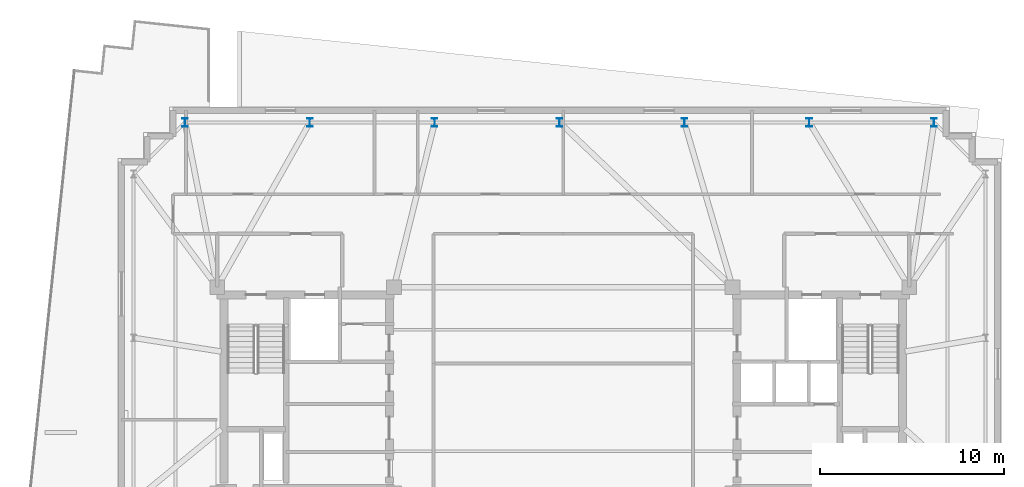
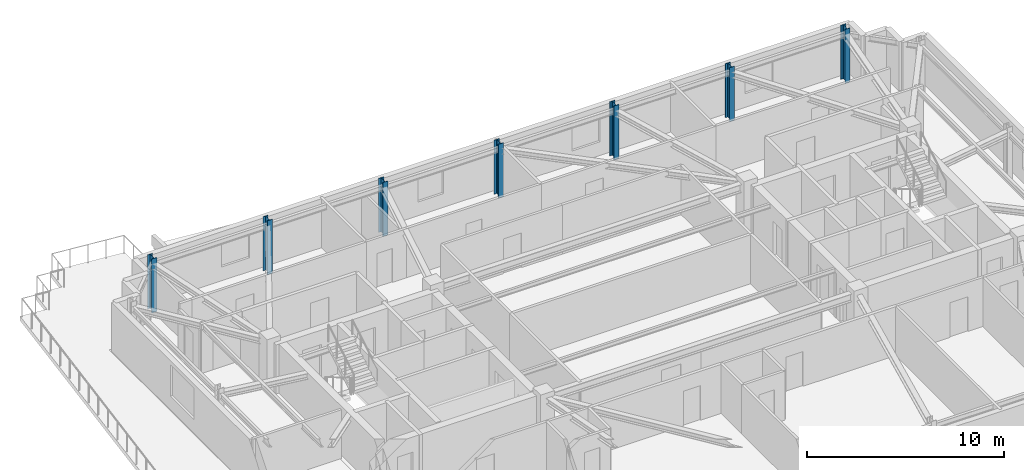
# One storey, part 3 of 12: 7 columns.
"""IFC4 building model written with IfcOpenShell, lengths in metres."""

from ifc_helpers import new_model, si_unit, direction, frame, origin, origin_2d, place, context, subcontext, project, spatial, i_section, extrude, material, material_profile, profile_set, type_object, element, save


model = new_model("IFC4")

# Units and contexts
model_context = context("Model", 3, precision=1e-05, world=origin(), true_north=direction((0.0, 1.0)))
body_context = subcontext(model_context, "Body", "Model", "MODEL_VIEW")
ifc_project = project(units=[si_unit("LENGTHUNIT", "METRE"), si_unit("AREAUNIT", "SQUARE_METRE"), si_unit("VOLUMEUNIT", "CUBIC_METRE"), si_unit("PLANEANGLEUNIT", "RADIAN"), si_unit("MASSUNIT", "GRAM", prefix="KILO")], contexts=[model_context])

# Site, building, storey
site_placement = place(None, origin())
site = spatial("IfcSite", under=ifc_project, at=site_placement, CompositionType="ELEMENT")
building_placement = place(site_placement, origin())
building = spatial("IfcBuilding", under=site, at=building_placement, Name="Qobustan Lattice House", CompositionType="ELEMENT")
storey_placement = place(building_placement, frame((0.0, 0.0, 228.300048828125)))
storey = spatial("IfcBuildingStorey", under=building, at=storey_placement, Name="L64", CompositionType="ELEMENT", Elevation=228.300048828125)

# Columns
ifc_material = material(Name="Steel S355", Category="steel")
ifc_material_profile = material_profile(ifc_material, i_section(OverallWidth=0.300048828125, OverallDepth=0.449951171875, WebThickness=0.013916015625, FlangeThickness=0.02587890625, FilletRadius=0.027099609375, at=origin_2d()), Name="HEB450")
ifc_profile_set = profile_set([ifc_material_profile], Name="Steel S355")
column_type = type_object("IfcColumnType", Name="COL-ST-HEB450", PredefinedType="COLUMN", material=ifc_profile_set)
for number, where, z_axis, x_axis, name in (
    (1, (20.14990234375, 14.550048828125, 0.0), (0.0, 0.0, 1.0), (1.0, 0.0, 0.0), "L64 B5 perimeter column N1"),
    (2, (13.36669921875, 14.550048828125, 0.0), (0.0, 0.0, 1.0), (1.0, 0.0, 0.0), "L64 B5 perimeter column N2"),
    (3, (6.583251953125, 14.550048828125, 0.0), (0.0, 0.0, 1.0), (1.0, 0.0, 0.0), "L64 B5 perimeter column N3"),
    (4, (-0.199951171875, 14.550048828125, 0.0), (0.0, 0.0, 1.0), (1.0, 0.0, 0.0), "L64 B5 perimeter column N4"),
    (5, (-6.9833984375, 14.550048828125, 0.0), (0.0, 0.0, 1.0), (1.0, 0.0, 0.0), "L64 B5 perimeter column N5"),
    (6, (-13.7666015625, 14.550048828125, 0.0), (0.0, 0.0, 1.0), (1.0, 0.0, 0.0), "L64 B5 perimeter column N6"),
    (7, (-20.550048828125, 14.550048828125, 0.0), (0.0, 0.0, 1.0), (1.0, 0.0, 0.0), "L64 B5 perimeter column N7"),
):
    element("IfcColumn", number, at=place(storey_placement, frame(where, z_axis=z_axis, x_axis=x_axis)), inside=storey, type_object=column_type, Name=name, PredefinedType="COLUMN", context=body_context, shape_type="SweptSolid", body=[
        extrude(i_section(OverallWidth=0.300048828125, OverallDepth=0.449951171875, WebThickness=0.013916015625, FlangeThickness=0.02587890625, FilletRadius=0.027099609375, at=origin_2d()), origin(), (0.0, 0.0, 1.0), 3.349853515625),
    ])

save(model, "model.ifc")
